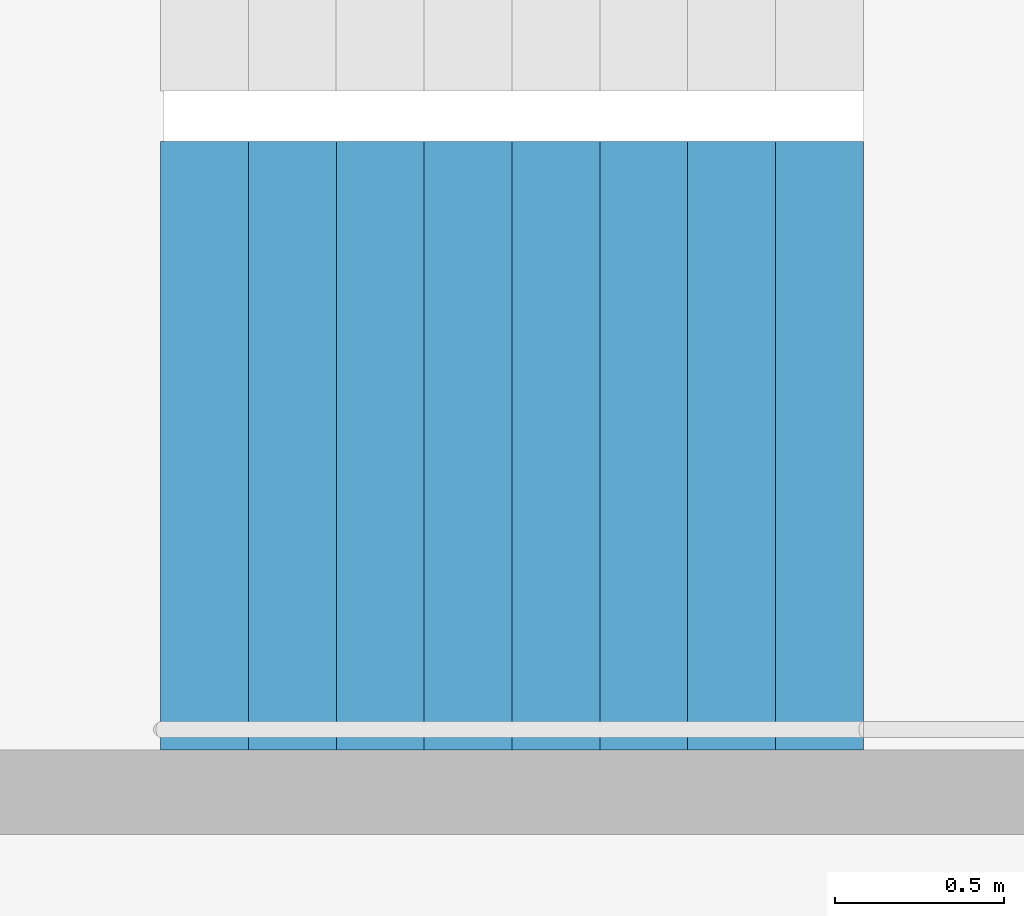
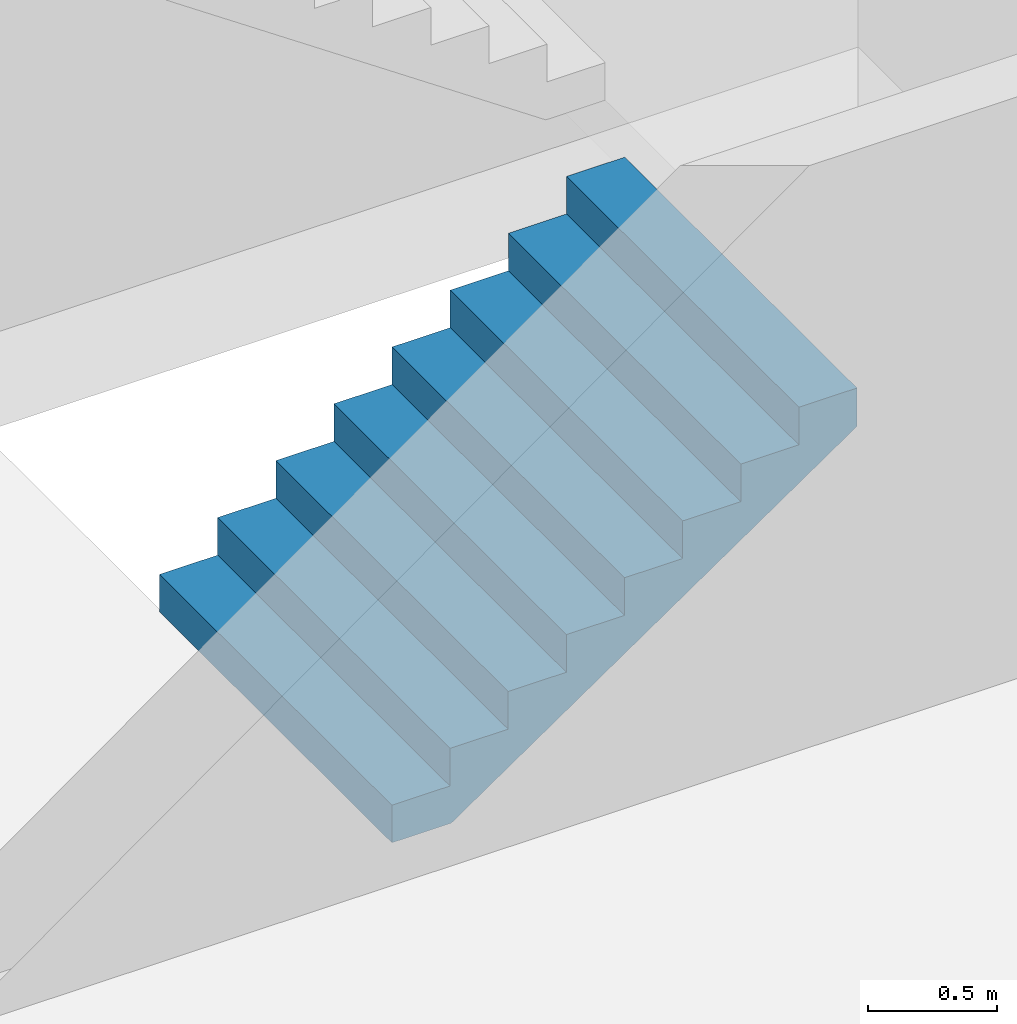
# One storey, part 20 of 26: 1 stair flight, 1 element without a shape of its own.
"""IFC4 building model written with IfcOpenShell, lengths in metres."""

from ifc_helpers import new_model, si_unit, direction, frame, origin, place, context, subcontext, project, spatial, triangles, material, type_object, element, aggregate, save


model = new_model("IFC4")

# Units and contexts
model_context = context("Model", 3, precision=1e-05, world=origin(), true_north=direction((0.0, 1.0)))
body_context = subcontext(model_context, "Body", "Model", "MODEL_VIEW")
ifc_project = project(units=[si_unit("LENGTHUNIT", "METRE"), si_unit("AREAUNIT", "SQUARE_METRE"), si_unit("VOLUMEUNIT", "CUBIC_METRE"), si_unit("PLANEANGLEUNIT", "RADIAN"), si_unit("MASSUNIT", "GRAM", prefix="KILO")], contexts=[model_context])

# Site, building, storey
site_placement = place(None, origin())
site = spatial("IfcSite", under=ifc_project, at=site_placement, CompositionType="ELEMENT")
building_placement = place(site_placement, origin())
building = spatial("IfcBuilding", under=site, at=building_placement, Name="Hakoniwa Tower and Hamabe Station Hall", CompositionType="ELEMENT")
storey_placement = place(building_placement, frame((0.0, 0.0, 199.39990234375)))
storey = spatial("IfcBuildingStorey", under=building, at=storey_placement, Name="L56", CompositionType="ELEMENT", Elevation=199.39990234375)

# Stair, stair flight
ifc_material_1 = material(Name="Concrete C40", Category="concrete")
stair_type = type_object("IfcStairType", Name="ESCAPE STAIR 1800", PredefinedType="HALF_TURN_STAIR", material=ifc_material_1)
stair_placement = place(storey_placement, origin())
stair = element("IfcStair", 1, at=stair_placement, inside=storey, type_object=stair_type, Name="Escape stair ST-1 L56", PredefinedType="HALF_TURN_STAIR")
ifc_material_2 = material(Name="Concrete C40", Category="concrete")
stair_flight_type = type_object("IfcStairFlightType", Name="STAIR FLIGHT 1800", PredefinedType="STRAIGHT", material=ifc_material_2)
stair_flight_placement = place(storey_placement, frame((-24.39990234375, 4.64990234375, 0.0), z_axis=(0.0, 0.0, 1.0), x_axis=(1.0, 0.0, 0.0)))
stair_flight = element("IfcStairFlight", 2, at=stair_flight_placement, type_object=stair_flight_type, Name="ST-1 flight 1", NumberOfRisers=9, NumberOfTreads=8, PredefinedType="STRAIGHT", RiserHeight=0.177777778, TreadLength=0.26, context=body_context, shape_type="Tessellation", body=[
    triangles([(0.0, 0.89990234375, 0.0), (0.260009765625, 0.89990234375, 0.0), (0.265625, 0.89990234375, 0.0), (0.52001953125, 0.89990234375, 0.174072265625), (0.780029296875, 0.89990234375, 0.351806640625), (1.0400390625, 0.89990234375, 0.529541015625), (1.300048828125, 0.89990234375, 0.707275390625), (1.56005859375, 0.89990234375, 0.885009765625), (1.820068359375, 0.89990234375, 1.062744140625), (2.080078125, 0.89990234375, 1.24072265625), (2.080078125, 0.89990234375, 1.422119140625), (1.820068359375, 0.89990234375, 1.422119140625), (1.820068359375, 0.89990234375, 1.244384765625), (1.56005859375, 0.89990234375, 1.244384765625), (1.56005859375, 0.89990234375, 1.066650390625), (1.300048828125, 0.89990234375, 1.066650390625), (1.300048828125, 0.89990234375, 0.888916015625), (1.0400390625, 0.89990234375, 0.888916015625), (1.0400390625, 0.89990234375, 0.711181640625), (0.780029296875, 0.89990234375, 0.711181640625), (0.780029296875, 0.89990234375, 0.533447265625), (0.52001953125, 0.89990234375, 0.533447265625), (0.52001953125, 0.89990234375, 0.35546875), (0.265625, 0.89990234375, 0.35546875), (0.260009765625, 0.89990234375, 0.35546875), (0.260009765625, 0.89990234375, 0.177734375), (0.0, 0.89990234375, 0.177734375), (0.0, 0.06005859375, 0.0), (0.260009765625, 0.06005859375, 0.0), (0.265625, 0.06005859375, 0.0), (0.52001953125, 0.06005859375, 0.174072265625), (0.780029296875, 0.06005859375, 0.351806640625), (1.0400390625, 0.06005859375, 0.529541015625), (1.300048828125, 0.06005859375, 0.707275390625), (1.56005859375, 0.06005859375, 0.885009765625), (1.820068359375, 0.06005859375, 1.062744140625), (2.080078125, 0.06005859375, 1.24072265625), (2.080078125, 0.06005859375, 1.422119140625), (1.820068359375, 0.06005859375, 1.422119140625), (1.820068359375, 0.06005859375, 1.244384765625), (1.56005859375, 0.06005859375, 1.244384765625), (1.56005859375, 0.06005859375, 1.066650390625), (1.300048828125, 0.06005859375, 1.066650390625), (1.300048828125, 0.06005859375, 0.888916015625), (1.0400390625, 0.06005859375, 0.888916015625), (1.0400390625, 0.06005859375, 0.711181640625), (0.780029296875, 0.06005859375, 0.711181640625), (0.780029296875, 0.06005859375, 0.533447265625), (0.52001953125, 0.06005859375, 0.533447265625), (0.52001953125, 0.06005859375, 0.35546875), (0.265625, 0.06005859375, 0.35546875), (0.260009765625, 0.06005859375, 0.35546875), (0.260009765625, 0.06005859375, 0.177734375), (0.0, 0.06005859375, 0.177734375), (0.0, 0.04296875, 0.0), (0.260009765625, 0.04296875, 0.0), (0.265625, 0.04296875, 0.0), (0.52001953125, 0.04296875, 0.174072265625), (0.780029296875, 0.04296875, 0.351806640625), (1.0400390625, 0.04296875, 0.529541015625), (1.300048828125, 0.04296875, 0.707275390625), (1.56005859375, 0.04296875, 0.885009765625), (1.820068359375, 0.04296875, 1.062744140625), (2.080078125, 0.04296875, 1.24072265625), (2.080078125, 0.04296875, 1.422119140625), (1.820068359375, 0.04296875, 1.422119140625), (1.820068359375, 0.04296875, 1.244384765625), (1.56005859375, 0.04296875, 1.244384765625), (1.56005859375, 0.04296875, 1.066650390625), (1.300048828125, 0.04296875, 1.066650390625), (1.300048828125, 0.04296875, 0.888916015625), (1.0400390625, 0.04296875, 0.888916015625), (1.0400390625, 0.04296875, 0.711181640625), (0.780029296875, 0.04296875, 0.711181640625), (0.780029296875, 0.04296875, 0.533447265625), (0.52001953125, 0.04296875, 0.533447265625), (0.52001953125, 0.04296875, 0.35546875), (0.265625, 0.04296875, 0.35546875), (0.260009765625, 0.04296875, 0.35546875), (0.260009765625, 0.04296875, 0.177734375), (0.0, 0.04296875, 0.177734375), (0.0, 0.025634765625, 0.0), (0.260009765625, 0.025634765625, 0.0), (0.265625, 0.025634765625, 0.0), (0.52001953125, 0.025634765625, 0.174072265625), (0.780029296875, 0.025634765625, 0.351806640625), (1.0400390625, 0.025634765625, 0.529541015625), (1.300048828125, 0.025634765625, 0.707275390625), (1.56005859375, 0.025634765625, 0.885009765625), (1.820068359375, 0.025634765625, 1.062744140625), (2.080078125, 0.025634765625, 1.24072265625), (2.080078125, 0.025634765625, 1.422119140625), (1.820068359375, 0.025634765625, 1.422119140625), (1.820068359375, 0.025634765625, 1.244384765625), (1.56005859375, 0.025634765625, 1.244384765625), (1.56005859375, 0.025634765625, 1.066650390625), (1.300048828125, 0.025634765625, 1.066650390625), (1.300048828125, 0.025634765625, 0.888916015625), (1.0400390625, 0.025634765625, 0.888916015625), (1.0400390625, 0.025634765625, 0.711181640625), (0.780029296875, 0.025634765625, 0.711181640625), (0.780029296875, 0.025634765625, 0.533447265625), (0.52001953125, 0.025634765625, 0.533447265625), (0.52001953125, 0.025634765625, 0.35546875), (0.265625, 0.025634765625, 0.35546875), (0.260009765625, 0.025634765625, 0.35546875), (0.260009765625, 0.025634765625, 0.177734375), (0.0, 0.025634765625, 0.177734375), (0.0, 0.008544921875, 0.0), (0.260009765625, 0.008544921875, 0.0), (0.265625, 0.008544921875, 0.0), (0.52001953125, 0.008544921875, 0.174072265625), (0.780029296875, 0.008544921875, 0.351806640625), (1.0400390625, 0.008544921875, 0.529541015625), (1.300048828125, 0.008544921875, 0.707275390625), (1.56005859375, 0.008544921875, 0.885009765625), (1.820068359375, 0.008544921875, 1.062744140625), (2.080078125, 0.008544921875, 1.24072265625), (2.080078125, 0.008544921875, 1.422119140625), (1.820068359375, 0.008544921875, 1.422119140625), (1.820068359375, 0.008544921875, 1.244384765625), (1.56005859375, 0.008544921875, 1.244384765625), (1.56005859375, 0.008544921875, 1.066650390625), (1.300048828125, 0.008544921875, 1.066650390625), (1.300048828125, 0.008544921875, 0.888916015625), (1.0400390625, 0.008544921875, 0.888916015625), (1.0400390625, 0.008544921875, 0.711181640625), (0.780029296875, 0.008544921875, 0.711181640625), (0.780029296875, 0.008544921875, 0.533447265625), (0.52001953125, 0.008544921875, 0.533447265625), (0.52001953125, 0.008544921875, 0.35546875), (0.265625, 0.008544921875, 0.35546875), (0.260009765625, 0.008544921875, 0.35546875), (0.260009765625, 0.008544921875, 0.177734375), (0.0, 0.008544921875, 0.177734375), (0.0, -0.008544921875, 0.0), (0.260009765625, -0.008544921875, 0.0), (0.265625, -0.008544921875, 0.0), (0.52001953125, -0.008544921875, 0.174072265625), (0.780029296875, -0.008544921875, 0.351806640625), (1.0400390625, -0.008544921875, 0.529541015625), (1.300048828125, -0.008544921875, 0.707275390625), (1.56005859375, -0.008544921875, 0.885009765625), (1.820068359375, -0.008544921875, 1.062744140625), (2.080078125, -0.008544921875, 1.24072265625), (2.080078125, -0.008544921875, 1.422119140625), (1.820068359375, -0.008544921875, 1.422119140625), (1.820068359375, -0.008544921875, 1.244384765625), (1.56005859375, -0.008544921875, 1.244384765625), (1.56005859375, -0.008544921875, 1.066650390625), (1.300048828125, -0.008544921875, 1.066650390625), (1.300048828125, -0.008544921875, 0.888916015625), (1.0400390625, -0.008544921875, 0.888916015625), (1.0400390625, -0.008544921875, 0.711181640625), (0.780029296875, -0.008544921875, 0.711181640625), (0.780029296875, -0.008544921875, 0.533447265625), (0.52001953125, -0.008544921875, 0.533447265625), (0.52001953125, -0.008544921875, 0.35546875), (0.265625, -0.008544921875, 0.35546875), (0.260009765625, -0.008544921875, 0.35546875), (0.260009765625, -0.008544921875, 0.177734375), (0.0, -0.008544921875, 0.177734375), (0.0, -0.025634765625, 0.0), (0.260009765625, -0.025634765625, 0.0), (0.265625, -0.025634765625, 0.0), (0.52001953125, -0.025634765625, 0.174072265625), (0.780029296875, -0.025634765625, 0.351806640625), (1.0400390625, -0.025634765625, 0.529541015625), (1.300048828125, -0.025634765625, 0.707275390625), (1.56005859375, -0.025634765625, 0.885009765625), (1.820068359375, -0.025634765625, 1.062744140625), (2.080078125, -0.025634765625, 1.24072265625), (2.080078125, -0.025634765625, 1.422119140625), (1.820068359375, -0.025634765625, 1.422119140625), (1.820068359375, -0.025634765625, 1.244384765625), (1.56005859375, -0.025634765625, 1.244384765625), (1.56005859375, -0.025634765625, 1.066650390625), (1.300048828125, -0.025634765625, 1.066650390625), (1.300048828125, -0.025634765625, 0.888916015625), (1.0400390625, -0.025634765625, 0.888916015625), (1.0400390625, -0.025634765625, 0.711181640625), (0.780029296875, -0.025634765625, 0.711181640625), (0.780029296875, -0.025634765625, 0.533447265625), (0.52001953125, -0.025634765625, 0.533447265625), (0.52001953125, -0.025634765625, 0.35546875), (0.265625, -0.025634765625, 0.35546875), (0.260009765625, -0.025634765625, 0.35546875), (0.260009765625, -0.025634765625, 0.177734375), (0.0, -0.025634765625, 0.177734375), (0.0, -0.04296875, 0.0), (0.260009765625, -0.04296875, 0.0), (0.265625, -0.04296875, 0.0), (0.52001953125, -0.04296875, 0.174072265625), (0.780029296875, -0.04296875, 0.351806640625), (1.0400390625, -0.04296875, 0.529541015625), (1.300048828125, -0.04296875, 0.707275390625), (1.56005859375, -0.04296875, 0.885009765625), (1.820068359375, -0.04296875, 1.062744140625), (2.080078125, -0.04296875, 1.24072265625), (2.080078125, -0.04296875, 1.422119140625), (1.820068359375, -0.04296875, 1.422119140625), (1.820068359375, -0.04296875, 1.244384765625), (1.56005859375, -0.04296875, 1.244384765625), (1.56005859375, -0.04296875, 1.066650390625), (1.300048828125, -0.04296875, 1.066650390625), (1.300048828125, -0.04296875, 0.888916015625), (1.0400390625, -0.04296875, 0.888916015625), (1.0400390625, -0.04296875, 0.711181640625), (0.780029296875, -0.04296875, 0.711181640625), (0.780029296875, -0.04296875, 0.533447265625), (0.52001953125, -0.04296875, 0.533447265625), (0.52001953125, -0.04296875, 0.35546875), (0.265625, -0.04296875, 0.35546875), (0.260009765625, -0.04296875, 0.35546875), (0.260009765625, -0.04296875, 0.177734375), (0.0, -0.04296875, 0.177734375), (0.0, -0.06005859375, 0.0), (0.260009765625, -0.06005859375, 0.0), (0.265625, -0.06005859375, 0.0), (0.52001953125, -0.06005859375, 0.174072265625), (0.780029296875, -0.06005859375, 0.351806640625), (1.0400390625, -0.06005859375, 0.529541015625), (1.300048828125, -0.06005859375, 0.707275390625), (1.56005859375, -0.06005859375, 0.885009765625), (1.820068359375, -0.06005859375, 1.062744140625), (2.080078125, -0.06005859375, 1.24072265625), (2.080078125, -0.06005859375, 1.422119140625), (1.820068359375, -0.06005859375, 1.422119140625), (1.820068359375, -0.06005859375, 1.244384765625), (1.56005859375, -0.06005859375, 1.244384765625), (1.56005859375, -0.06005859375, 1.066650390625), (1.300048828125, -0.06005859375, 1.066650390625), (1.300048828125, -0.06005859375, 0.888916015625), (1.0400390625, -0.06005859375, 0.888916015625), (1.0400390625, -0.06005859375, 0.711181640625), (0.780029296875, -0.06005859375, 0.711181640625), (0.780029296875, -0.06005859375, 0.533447265625), (0.52001953125, -0.06005859375, 0.533447265625), (0.52001953125, -0.06005859375, 0.35546875), (0.265625, -0.06005859375, 0.35546875), (0.260009765625, -0.06005859375, 0.35546875), (0.260009765625, -0.06005859375, 0.177734375), (0.0, -0.06005859375, 0.177734375), (0.0, -0.89990234375, 0.0), (0.260009765625, -0.89990234375, 0.0), (0.265625, -0.89990234375, 0.0), (0.52001953125, -0.89990234375, 0.174072265625), (0.780029296875, -0.89990234375, 0.351806640625), (1.0400390625, -0.89990234375, 0.529541015625), (1.300048828125, -0.89990234375, 0.707275390625), (1.56005859375, -0.89990234375, 0.885009765625), (1.820068359375, -0.89990234375, 1.062744140625), (2.080078125, -0.89990234375, 1.24072265625), (2.080078125, -0.89990234375, 1.422119140625), (1.820068359375, -0.89990234375, 1.422119140625), (1.820068359375, -0.89990234375, 1.244384765625), (1.56005859375, -0.89990234375, 1.244384765625), (1.56005859375, -0.89990234375, 1.066650390625), (1.300048828125, -0.89990234375, 1.066650390625), (1.300048828125, -0.89990234375, 0.888916015625), (1.0400390625, -0.89990234375, 0.888916015625), (1.0400390625, -0.89990234375, 0.711181640625), (0.780029296875, -0.89990234375, 0.711181640625), (0.780029296875, -0.89990234375, 0.533447265625), (0.52001953125, -0.89990234375, 0.533447265625), (0.52001953125, -0.89990234375, 0.35546875), (0.265625, -0.89990234375, 0.35546875), (0.260009765625, -0.89990234375, 0.35546875), (0.260009765625, -0.89990234375, 0.177734375), (0.0, -0.89990234375, 0.177734375)], [[2, 27, 26], [245, 269, 270], [2, 1, 27], [245, 270, 244], [3, 25, 24], [246, 267, 268], [3, 26, 25], [246, 268, 269], [3, 2, 26], [246, 269, 245], [4, 24, 23], [247, 266, 267], [4, 3, 24], [247, 267, 246], [5, 22, 21], [248, 264, 265], [5, 23, 22], [248, 265, 266], [5, 4, 23], [248, 266, 247], [6, 20, 19], [249, 262, 263], [6, 21, 20], [249, 263, 264], [6, 5, 21], [249, 264, 248], [7, 18, 17], [250, 260, 261], [7, 19, 18], [250, 261, 262], [7, 6, 19], [250, 262, 249], [8, 16, 15], [251, 258, 259], [8, 17, 16], [251, 259, 260], [8, 7, 17], [251, 260, 250], [9, 14, 13], [252, 256, 257], [9, 15, 14], [252, 257, 258], [9, 8, 15], [252, 258, 251], [10, 12, 11], [253, 254, 255], [10, 13, 12], [253, 255, 256], [10, 9, 13], [253, 256, 252], [1, 2, 29], [1, 29, 28], [28, 29, 56], [28, 56, 55], [55, 56, 83], [55, 83, 82], [82, 83, 110], [82, 110, 109], [109, 110, 137], [109, 137, 136], [136, 137, 164], [136, 164, 163], [163, 164, 191], [163, 191, 190], [190, 191, 218], [190, 218, 217], [217, 218, 245], [217, 245, 244], [2, 3, 30], [2, 30, 29], [29, 30, 57], [29, 57, 56], [56, 57, 84], [56, 84, 83], [83, 84, 111], [83, 111, 110], [110, 111, 138], [110, 138, 137], [137, 138, 165], [137, 165, 164], [164, 165, 192], [164, 192, 191], [191, 192, 219], [191, 219, 218], [218, 219, 246], [218, 246, 245], [3, 4, 31], [3, 31, 30], [30, 31, 58], [30, 58, 57], [57, 58, 85], [57, 85, 84], [84, 85, 112], [84, 112, 111], [111, 112, 139], [111, 139, 138], [138, 139, 166], [138, 166, 165], [165, 166, 193], [165, 193, 192], [192, 193, 220], [192, 220, 219], [219, 220, 247], [219, 247, 246], [4, 5, 32], [4, 32, 31], [31, 32, 59], [31, 59, 58], [58, 59, 86], [58, 86, 85], [85, 86, 113], [85, 113, 112], [112, 113, 140], [112, 140, 139], [139, 140, 167], [139, 167, 166], [166, 167, 194], [166, 194, 193], [193, 194, 221], [193, 221, 220], [220, 221, 248], [220, 248, 247], [5, 6, 33], [5, 33, 32], [32, 33, 60], [32, 60, 59], [59, 60, 87], [59, 87, 86], [86, 87, 114], [86, 114, 113], [113, 114, 141], [113, 141, 140], [140, 141, 168], [140, 168, 167], [167, 168, 195], [167, 195, 194], [194, 195, 222], [194, 222, 221], [221, 222, 249], [221, 249, 248], [6, 7, 34], [6, 34, 33], [33, 34, 61], [33, 61, 60], [60, 61, 88], [60, 88, 87], [87, 88, 115], [87, 115, 114], [114, 115, 142], [114, 142, 141], [141, 142, 169], [141, 169, 168], [168, 169, 196], [168, 196, 195], [195, 196, 223], [195, 223, 222], [222, 223, 250], [222, 250, 249], [7, 8, 35], [7, 35, 34], [34, 35, 62], [34, 62, 61], [61, 62, 89], [61, 89, 88], [88, 89, 116], [88, 116, 115], [115, 116, 143], [115, 143, 142], [142, 143, 170], [142, 170, 169], [169, 170, 197], [169, 197, 196], [196, 197, 224], [196, 224, 223], [223, 224, 251], [223, 251, 250], [8, 9, 36], [8, 36, 35], [35, 36, 63], [35, 63, 62], [62, 63, 90], [62, 90, 89], [89, 90, 117], [89, 117, 116], [116, 117, 144], [116, 144, 143], [143, 144, 171], [143, 171, 170], [170, 171, 198], [170, 198, 197], [197, 198, 225], [197, 225, 224], [224, 225, 252], [224, 252, 251], [9, 10, 37], [9, 37, 36], [36, 37, 64], [36, 64, 63], [63, 64, 91], [63, 91, 90], [90, 91, 118], [90, 118, 117], [117, 118, 145], [117, 145, 144], [144, 145, 172], [144, 172, 171], [171, 172, 199], [171, 199, 198], [198, 199, 226], [198, 226, 225], [225, 226, 253], [225, 253, 252], [10, 11, 38], [10, 38, 37], [37, 38, 65], [37, 65, 64], [64, 65, 92], [64, 92, 91], [91, 92, 119], [91, 119, 118], [118, 119, 146], [118, 146, 145], [145, 146, 173], [145, 173, 172], [172, 173, 200], [172, 200, 199], [199, 200, 227], [199, 227, 226], [226, 227, 254], [226, 254, 253], [11, 12, 39], [11, 39, 38], [38, 39, 66], [38, 66, 65], [65, 66, 93], [65, 93, 92], [92, 93, 120], [92, 120, 119], [119, 120, 147], [119, 147, 146], [146, 147, 174], [146, 174, 173], [173, 174, 201], [173, 201, 200], [200, 201, 228], [200, 228, 227], [227, 228, 255], [227, 255, 254], [12, 13, 40], [12, 40, 39], [39, 40, 67], [39, 67, 66], [66, 67, 94], [66, 94, 93], [93, 94, 121], [93, 121, 120], [120, 121, 148], [120, 148, 147], [147, 148, 175], [147, 175, 174], [174, 175, 202], [174, 202, 201], [201, 202, 229], [201, 229, 228], [228, 229, 256], [228, 256, 255], [13, 14, 41], [13, 41, 40], [40, 41, 68], [40, 68, 67], [67, 68, 95], [67, 95, 94], [94, 95, 122], [94, 122, 121], [121, 122, 149], [121, 149, 148], [148, 149, 176], [148, 176, 175], [175, 176, 203], [175, 203, 202], [202, 203, 230], [202, 230, 229], [229, 230, 257], [229, 257, 256], [14, 15, 42], [14, 42, 41], [41, 42, 69], [41, 69, 68], [68, 69, 96], [68, 96, 95], [95, 96, 123], [95, 123, 122], [122, 123, 150], [122, 150, 149], [149, 150, 177], [149, 177, 176], [176, 177, 204], [176, 204, 203], [203, 204, 231], [203, 231, 230], [230, 231, 258], [230, 258, 257], [15, 16, 43], [15, 43, 42], [42, 43, 70], [42, 70, 69], [69, 70, 97], [69, 97, 96], [96, 97, 124], [96, 124, 123], [123, 124, 151], [123, 151, 150], [150, 151, 178], [150, 178, 177], [177, 178, 205], [177, 205, 204], [204, 205, 232], [204, 232, 231], [231, 232, 259], [231, 259, 258], [16, 17, 44], [16, 44, 43], [43, 44, 71], [43, 71, 70], [70, 71, 98], [70, 98, 97], [97, 98, 125], [97, 125, 124], [124, 125, 152], [124, 152, 151], [151, 152, 179], [151, 179, 178], [178, 179, 206], [178, 206, 205], [205, 206, 233], [205, 233, 232], [232, 233, 260], [232, 260, 259], [17, 18, 45], [17, 45, 44], [44, 45, 72], [44, 72, 71], [71, 72, 99], [71, 99, 98], [98, 99, 126], [98, 126, 125], [125, 126, 153], [125, 153, 152], [152, 153, 180], [152, 180, 179], [179, 180, 207], [179, 207, 206], [206, 207, 234], [206, 234, 233], [233, 234, 261], [233, 261, 260], [18, 19, 46], [18, 46, 45], [45, 46, 73], [45, 73, 72], [72, 73, 100], [72, 100, 99], [99, 100, 127], [99, 127, 126], [126, 127, 154], [126, 154, 153], [153, 154, 181], [153, 181, 180], [180, 181, 208], [180, 208, 207], [207, 208, 235], [207, 235, 234], [234, 235, 262], [234, 262, 261], [19, 20, 47], [19, 47, 46], [46, 47, 74], [46, 74, 73], [73, 74, 101], [73, 101, 100], [100, 101, 128], [100, 128, 127], [127, 128, 155], [127, 155, 154], [154, 155, 182], [154, 182, 181], [181, 182, 209], [181, 209, 208], [208, 209, 236], [208, 236, 235], [235, 236, 263], [235, 263, 262], [20, 21, 48], [20, 48, 47], [47, 48, 75], [47, 75, 74], [74, 75, 102], [74, 102, 101], [101, 102, 129], [101, 129, 128], [128, 129, 156], [128, 156, 155], [155, 156, 183], [155, 183, 182], [182, 183, 210], [182, 210, 209], [209, 210, 237], [209, 237, 236], [236, 237, 264], [236, 264, 263], [21, 22, 49], [21, 49, 48], [48, 49, 76], [48, 76, 75], [75, 76, 103], [75, 103, 102], [102, 103, 130], [102, 130, 129], [129, 130, 157], [129, 157, 156], [156, 157, 184], [156, 184, 183], [183, 184, 211], [183, 211, 210], [210, 211, 238], [210, 238, 237], [237, 238, 265], [237, 265, 264], [22, 23, 50], [22, 50, 49], [49, 50, 77], [49, 77, 76], [76, 77, 104], [76, 104, 103], [103, 104, 131], [103, 131, 130], [130, 131, 158], [130, 158, 157], [157, 158, 185], [157, 185, 184], [184, 185, 212], [184, 212, 211], [211, 212, 239], [211, 239, 238], [238, 239, 266], [238, 266, 265], [23, 24, 51], [23, 51, 50], [50, 51, 78], [50, 78, 77], [77, 78, 105], [77, 105, 104], [104, 105, 132], [104, 132, 131], [131, 132, 159], [131, 159, 158], [158, 159, 186], [158, 186, 185], [185, 186, 213], [185, 213, 212], [212, 213, 240], [212, 240, 239], [239, 240, 267], [239, 267, 266], [24, 25, 52], [24, 52, 51], [51, 52, 79], [51, 79, 78], [78, 79, 106], [78, 106, 105], [105, 106, 133], [105, 133, 132], [132, 133, 160], [132, 160, 159], [159, 160, 187], [159, 187, 186], [186, 187, 214], [186, 214, 213], [213, 214, 241], [213, 241, 240], [240, 241, 268], [240, 268, 267], [25, 26, 53], [25, 53, 52], [52, 53, 80], [52, 80, 79], [79, 80, 107], [79, 107, 106], [106, 107, 134], [106, 134, 133], [133, 134, 161], [133, 161, 160], [160, 161, 188], [160, 188, 187], [187, 188, 215], [187, 215, 214], [214, 215, 242], [214, 242, 241], [241, 242, 269], [241, 269, 268], [26, 27, 54], [26, 54, 53], [53, 54, 81], [53, 81, 80], [80, 81, 108], [80, 108, 107], [107, 108, 135], [107, 135, 134], [134, 135, 162], [134, 162, 161], [161, 162, 189], [161, 189, 188], [188, 189, 216], [188, 216, 215], [215, 216, 243], [215, 243, 242], [242, 243, 270], [242, 270, 269], [27, 1, 28], [27, 28, 54], [54, 28, 55], [54, 55, 81], [81, 55, 82], [81, 82, 108], [108, 82, 109], [108, 109, 135], [135, 109, 136], [135, 136, 162], [162, 136, 163], [162, 163, 189], [189, 163, 190], [189, 190, 216], [216, 190, 217], [216, 217, 243], [243, 217, 244], [243, 244, 270]], closed=True),
])
aggregate(stair, [stair_flight])

save(model, "model.ifc")
